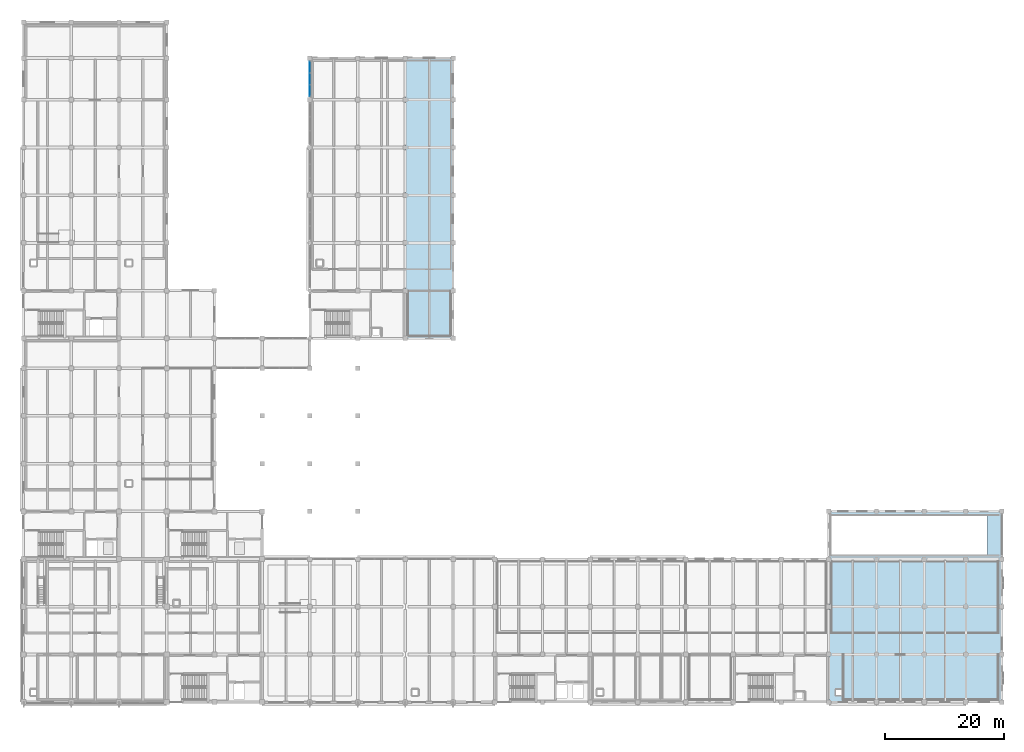
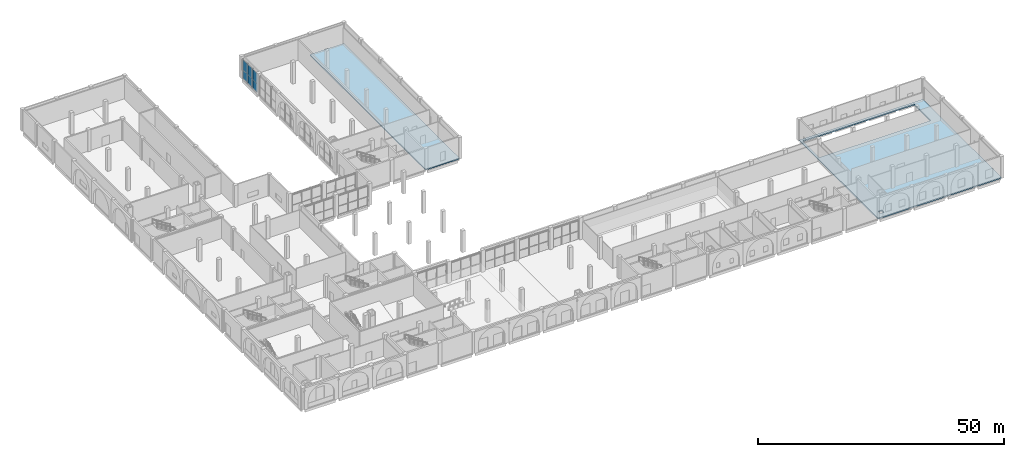
# One storey, part 15 of 40: 6 plates, 2 slabs, 1 element without a shape of its own.
"""IFC4 building model written with IfcOpenShell, lengths in metres."""

from ifc_helpers import new_model, si_unit, direction, frame, origin, origin_2d, place, context, subcontext, project, spatial, polyline, rectangle, outline, extrude, material, layer, layer_set, type_object, element, aggregate, save


model = new_model("IFC4")

# Units and contexts
model_context = context("Model", 3, precision=1e-05, world=origin(), true_north=direction((0.0, 1.0)))
body_context = subcontext(model_context, "Body", "Model", "MODEL_VIEW")
ifc_project = project(units=[si_unit("LENGTHUNIT", "METRE"), si_unit("AREAUNIT", "SQUARE_METRE"), si_unit("VOLUMEUNIT", "CUBIC_METRE"), si_unit("PLANEANGLEUNIT", "RADIAN"), si_unit("MASSUNIT", "GRAM", prefix="KILO")], contexts=[model_context])

# Site, building, storey
site_placement = place(None, origin())
site = spatial("IfcSite", under=ifc_project, at=site_placement, CompositionType="ELEMENT")
building_placement = place(site_placement, origin())
building = spatial("IfcBuilding", under=site, at=building_placement, Name="Qorikala Patio Media Centre", CompositionType="ELEMENT")
storey_placement = place(building_placement, origin())
storey = spatial("IfcBuildingStorey", under=building, at=storey_placement, Name="L00", CompositionType="ELEMENT", Elevation=0.0)

# Curtain wall, plates
ifc_material_1 = material(Name="Bronze Anodised Aluminium and Low-E Glass", Category="aluminium")
ifc_layer_1 = layer(ifc_material_1, 0.159912109375)
ifc_layer_set_1 = layer_set([ifc_layer_1], Name="Bronze Anodised Aluminium and Low-E Glass")
curtain_wall_type = type_object("IfcCurtainWallType", Name="CW-PAT-596X475", PredefinedType="USERDEFINED", material=ifc_layer_set_1)
curtain_wall_placement = place(storey_placement, origin())
curtain_wall = element("IfcCurtainWall", 1, at=curtain_wall_placement, inside=storey, type_object=curtain_wall_type, Name="L00 Courtyard Curtain Wall 014", ObjectType="COURTYARD CURTAIN WALL", PredefinedType="USERDEFINED")
ifc_material_2 = material(Name="Low-E Double Glazing Glass", Category="glass")
ifc_layer_2 = layer(ifc_material_2, 0.028076171875)
ifc_layer_set_2 = layer_set([ifc_layer_2], Name="Low-E Double Glazing Glass")
plate_type = type_object("IfcPlateType", Name="CWP-28", PredefinedType="CURTAIN_PANEL", material=ifc_layer_set_2)
plate_1_placement = place(storey_placement, frame((51.0, 105.53076171875, 0.06982421875), z_axis=(0.0, 0.0, 1.0), x_axis=(0.0, 1.0, 0.0)))
plate_1 = element("IfcPlate", 2, at=plate_1_placement, type_object=plate_type, Name="CWP596475 panel 1.1", PredefinedType="CURTAIN_PANEL", context=body_context, shape_type="SweptSolid", body=[
    extrude(rectangle(XDim=1.881591796875, YDim=0.028076171875, at=origin_2d()), origin(), (0.0, 0.0, 1.0), 2.032470703125),
])
plate_2_placement = place(storey_placement, frame((51.0, 105.53076171875, 2.17236328125), z_axis=(0.0, 0.0, 1.0), x_axis=(0.0, 1.0, 0.0)))
plate_2 = element("IfcPlate", 3, at=plate_2_placement, type_object=plate_type, Name="CWP596475 panel 1.2", PredefinedType="CURTAIN_PANEL", context=body_context, shape_type="SweptSolid", body=[
    extrude(rectangle(XDim=1.881591796875, YDim=0.028076171875, at=origin_2d()), origin(), (0.0, 0.0, 1.0), 2.507568359375),
])
plate_3_placement = place(storey_placement, frame((51.0, 107.5, 0.06982421875), z_axis=(0.0, 0.0, 1.0), x_axis=(0.0, 1.0, 0.0)))
plate_3 = element("IfcPlate", 4, at=plate_3_placement, type_object=plate_type, Name="CWP596475 panel 2.1", PredefinedType="CURTAIN_PANEL", context=body_context, shape_type="SweptSolid", body=[
    extrude(rectangle(XDim=1.916748046875, YDim=0.028076171875, at=origin_2d()), origin(), (0.0, 0.0, 1.0), 2.032470703125),
])
plate_4_placement = place(storey_placement, frame((51.0, 107.5, 2.17236328125), z_axis=(0.0, 0.0, 1.0), x_axis=(0.0, 1.0, 0.0)))
plate_4 = element("IfcPlate", 5, at=plate_4_placement, type_object=plate_type, Name="CWP596475 panel 2.2", PredefinedType="CURTAIN_PANEL", context=body_context, shape_type="SweptSolid", body=[
    extrude(rectangle(XDim=1.916748046875, YDim=0.028076171875, at=origin_2d()), origin(), (0.0, 0.0, 1.0), 2.507568359375),
])
plate_5_placement = place(storey_placement, frame((51.0, 109.46923828125, 0.06982421875), z_axis=(0.0, 0.0, 1.0), x_axis=(0.0, 1.0, 0.0)))
plate_5 = element("IfcPlate", 6, at=plate_5_placement, type_object=plate_type, Name="CWP596475 panel 3.1", PredefinedType="CURTAIN_PANEL", context=body_context, shape_type="SweptSolid", body=[
    extrude(rectangle(XDim=1.881591796875, YDim=0.028076171875, at=origin_2d()), origin(), (0.0, 0.0, 1.0), 2.032470703125),
])
plate_6_placement = place(storey_placement, frame((51.0, 109.46923828125, 2.17236328125), z_axis=(0.0, 0.0, 1.0), x_axis=(0.0, 1.0, 0.0)))
plate_6 = element("IfcPlate", 7, at=plate_6_placement, type_object=plate_type, Name="CWP596475 panel 3.2", PredefinedType="CURTAIN_PANEL", context=body_context, shape_type="SweptSolid", body=[
    extrude(rectangle(XDim=1.881591796875, YDim=0.028076171875, at=origin_2d()), origin(), (0.0, 0.0, 1.0), 2.507568359375),
])
aggregate(curtain_wall, [plate_1, plate_2, plate_3, plate_4, plate_5, plate_6])

# Slabs
ifc_material_3 = material(Name="Concrete C35/45", Category="concrete")
ifc_layer_3 = layer(ifc_material_3, 0.300048828125)
ifc_layer_set_3 = layer_set([ifc_layer_3], Name="Concrete C35/45")
slab_type_1 = type_object("IfcSlabType", Name="SL-FLOOR-300", PredefinedType="FLOOR", material=ifc_layer_set_3)
slab_1_placement = place(storey_placement, frame((0.0, 0.0, -0.300048828125)))
element("IfcSlab", 8, at=slab_1_placement, inside=storey, type_object=slab_type_1, Name="L00 V7B Slab 12.1", PredefinedType="FLOOR", context=body_context, shape_type="SweptSolid", body=[
    extrude(outline(polyline([(167.0, 35.0), (167.0, 3.0), (138.0, 3.0), (138.0, 27.0), (138.0, 35.0), (167.0, 35.0)]), holes=[polyline([(140.10009765625, 4.199951171875), (140.10009765625, 5.10009765625), (139.199951171875, 5.10009765625), (139.199951171875, 4.199951171875), (140.10009765625, 4.199951171875)]), polyline([(138.39990234375, 27.60009765625), (164.60009765625, 27.60009765625), (164.60009765625, 34.39990234375), (138.39990234375, 34.39990234375), (138.39990234375, 27.60009765625)])]), origin(), (0.0, 0.0, 1.0), 0.300048828125),
])
ifc_layer_4 = layer(ifc_material_3, 0.280029296875)
ifc_layer_set_4 = layer_set([ifc_layer_4], Name="Concrete C35/45")
slab_type_2 = type_object("IfcSlabType", Name="SL-STUDIO-280", PredefinedType="FLOOR", material=ifc_layer_set_4)
slab_2_placement = place(storey_placement, frame((0.0, 0.0, -0.280029296875)))
element("IfcSlab", 9, at=slab_2_placement, inside=storey, type_object=slab_type_2, Name="L00 V5B Slab 10.1", PredefinedType="FLOOR", context=body_context, shape_type="SweptSolid", body=[
    extrude(outline(polyline([(75.0, 64.0), (67.0, 64.0), (67.0, 111.0), (75.0, 111.0), (75.0, 64.0)])), origin(), (0.0, 0.0, 1.0), 0.280029296875),
])

save(model, "model.ifc")
